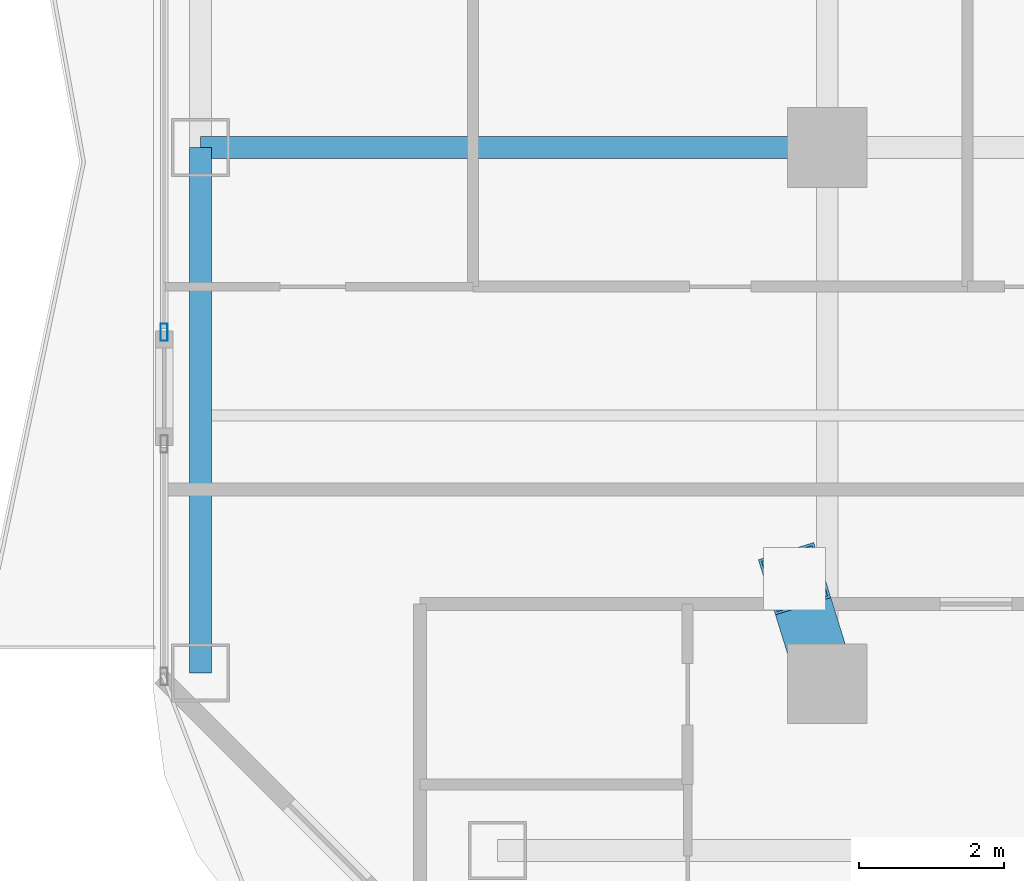
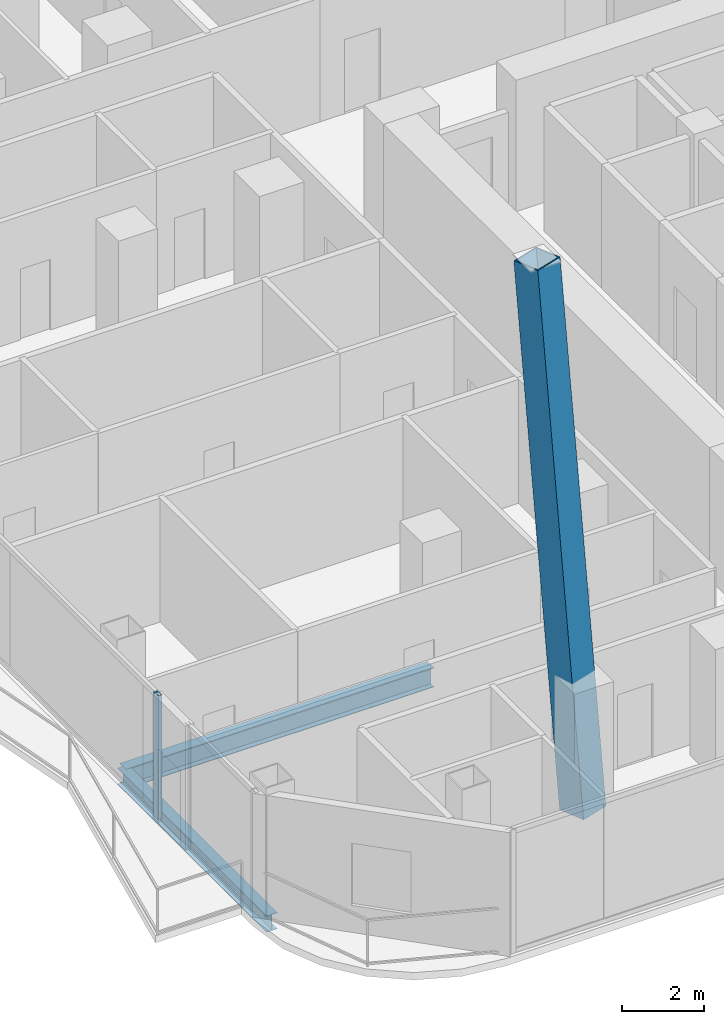
# One storey, part 3 of 32: 2 beams, 2 members, 1 element without a shape of its own.
"""IFC4 building model written with IfcOpenShell, lengths in metres."""

from ifc_helpers import new_model, si_unit, direction, frame, origin, origin_2d, place, context, subcontext, project, spatial, hollow_rectangle, i_section, extrude, material, layer, layer_set, material_profile, profile_set, type_object, element, aggregate, save


model = new_model("IFC4")

# Units and contexts
model_context = context("Model", 3, precision=1e-05, world=origin(), true_north=direction((0.0, 1.0)))
body_context = subcontext(model_context, "Body", "Model", "MODEL_VIEW")
ifc_project = project(units=[si_unit("LENGTHUNIT", "METRE"), si_unit("AREAUNIT", "SQUARE_METRE"), si_unit("VOLUMEUNIT", "CUBIC_METRE"), si_unit("PLANEANGLEUNIT", "RADIAN"), si_unit("MASSUNIT", "GRAM", prefix="KILO")], contexts=[model_context])

# Site, building, storey
site_placement = place(None, origin())
site = spatial("IfcSite", under=ifc_project, at=site_placement, CompositionType="ELEMENT")
building_placement = place(site_placement, origin())
building = spatial("IfcBuilding", under=site, at=building_placement, Name="Khorvyn Point Tower", CompositionType="ELEMENT")
storey_placement = place(building_placement, frame((0.0, 0.0, 93.0)))
storey = spatial("IfcBuildingStorey", under=building, at=storey_placement, Name="L23", CompositionType="ELEMENT", Elevation=93.0)

# Curtain wall, member
ifc_material_1 = material(Name="Anodised aluminium 6063-T6 and laminated Low-E glass", Category="aluminium")
ifc_layer = layer(ifc_material_1, 0.18994140625)
ifc_layer_set = layer_set([ifc_layer], Name="Stick-Built Finned Residential Curtain Wall CW-SYS-02")
curtain_wall_type = type_object("IfcCurtainWallType", Name="Stick-Built Finned Residential Curtain Wall CW-SYS-02", PredefinedType="NOTDEFINED", material=ifc_layer_set)
curtain_wall_placement = place(storey_placement, origin())
curtain_wall = element("IfcCurtainWall", 1, at=curtain_wall_placement, inside=storey, type_object=curtain_wall_type, Name="Curtain Wall", PredefinedType="NOTDEFINED")
ifc_material_2 = material(Name="Anodised aluminium 6063-T6", Category="aluminium")
ifc_material_profile_1 = material_profile(ifc_material_2, hollow_rectangle(XDim=0.10009765625, YDim=0.239990234375, WallThickness=0.0048828125, at=origin_2d()))
ifc_profile_set_1 = profile_set([ifc_material_profile_1], Name="Anodised aluminium 6063-T6 ALU-MUL-100x240")
member_type_1 = type_object("IfcMemberType", Name="Anodised Aluminium 6063-T6 Mullion ALU-MUL-100x240", PredefinedType="MULLION", material=ifc_profile_set_1)
member_1_placement = place(storey_placement, frame((-27.949951171875, -9.949951171875, 0.0), z_axis=(0.0, 0.0, 1.0), x_axis=(-1.0, 0.0, 0.0)))
member_1 = element("IfcMember", 2, at=member_1_placement, type_object=member_type_1, Name="Transom", PredefinedType="MULLION", context=body_context, shape_type="SweptSolid", body=[
    extrude(hollow_rectangle(XDim=0.10009765625, YDim=0.239990234375, WallThickness=0.0048828125, at=origin_2d()), origin(), (0.0, 0.0, 1.0), 3.679931640625),
])
aggregate(curtain_wall, [member_1])

# Beams
ifc_material_3 = material(Name="Steel S355", Category="steel")
ifc_material_profile_2 = material_profile(ifc_material_3, i_section(OverallWidth=0.300048828125, OverallDepth=0.587890625, WebThickness=0.011962890625, FlangeThickness=0.02001953125, at=origin_2d()))
ifc_profile_set_2 = profile_set([ifc_material_profile_2], Name="Steel S355 H588x300x12x20")
beam_type_1 = type_object("IfcBeamType", Name="Steel S355 Beam H588x300x12x20", PredefinedType="BEAM", material=ifc_profile_set_2)
beam_1_placement = place(storey_placement, frame((-27.449951171875, -7.39990234375, -0.513916015625), z_axis=(1.0, 0.0, 0.0), x_axis=(0.0, 1.0, 0.0)))
element("IfcBeam", 3, at=beam_1_placement, inside=storey, type_object=beam_type_1, Name="Beam", PredefinedType="BEAM", context=body_context, shape_type="SweptSolid", body=[
    extrude(i_section(OverallWidth=0.300048828125, OverallDepth=0.587890625, WebThickness=0.011962890625, FlangeThickness=0.02001953125, at=origin_2d()), origin(), (0.0, 0.0, 1.0), 8.64990234375),
])
ifc_material_profile_3 = material_profile(ifc_material_3, i_section(OverallWidth=0.300048828125, OverallDepth=0.488037109375, WebThickness=0.010986328125, FlangeThickness=0.01806640625, at=origin_2d()))
ifc_profile_set_3 = profile_set([ifc_material_profile_3], Name="Steel S355 H488x300x11x18")
beam_type_2 = type_object("IfcBeamType", Name="Steel S355 Spandrel H488x300x11x18", PredefinedType="SPANDREL", material=ifc_profile_set_3)
beam_2_placement = place(storey_placement, frame((-27.449951171875, -14.64990234375, -0.464111328125), z_axis=(0.0, 1.0, 0.0), x_axis=(-1.0, 0.0, 0.0)))
element("IfcBeam", 4, at=beam_2_placement, inside=storey, type_object=beam_type_2, Name="Beam", PredefinedType="SPANDREL", context=body_context, shape_type="SweptSolid", body=[
    extrude(i_section(OverallWidth=0.300048828125, OverallDepth=0.488037109375, WebThickness=0.010986328125, FlangeThickness=0.01806640625, at=origin_2d()), origin(), (0.0, 0.0, 1.0), 7.25),
])

# Member
ifc_material_4 = material(Name="Steel S450", Category="steel")
ifc_material_profile_4 = material_profile(ifc_material_4, hollow_rectangle(XDim=0.800048828125, YDim=0.800048828125, WallThickness=0.035888671875, at=origin_2d()))
ifc_profile_set_4 = profile_set([ifc_material_profile_4], Name="Steel S450 BOX800x800x36")
member_type_2 = type_object("IfcMemberType", Name="Steel S450 Exoskeleton Structural Post BOX800x800x36", PredefinedType="POST", material=ifc_profile_set_4)
member_2_placement = place(storey_placement, frame((-18.800048828125, -14.800048828125, 0.0), z_axis=(-0.028707225099, 0.092507981476, 0.995298030034), x_axis=(-0.955070415643, -0.296378982325, 0.0)))
element("IfcMember", 5, at=member_2_placement, inside=storey, type_object=member_type_2, Name="L23 to L27 Exoskeleton Transfer Post 04", PredefinedType="POST", context=body_context, shape_type="SweptSolid", body=[
    extrude(hollow_rectangle(XDim=0.800048828125, YDim=0.800048828125, WallThickness=0.035888671875, at=origin_2d()), origin(), (0.0, 0.0, 1.0), 15.673828125),
])

save(model, "model.ifc")
